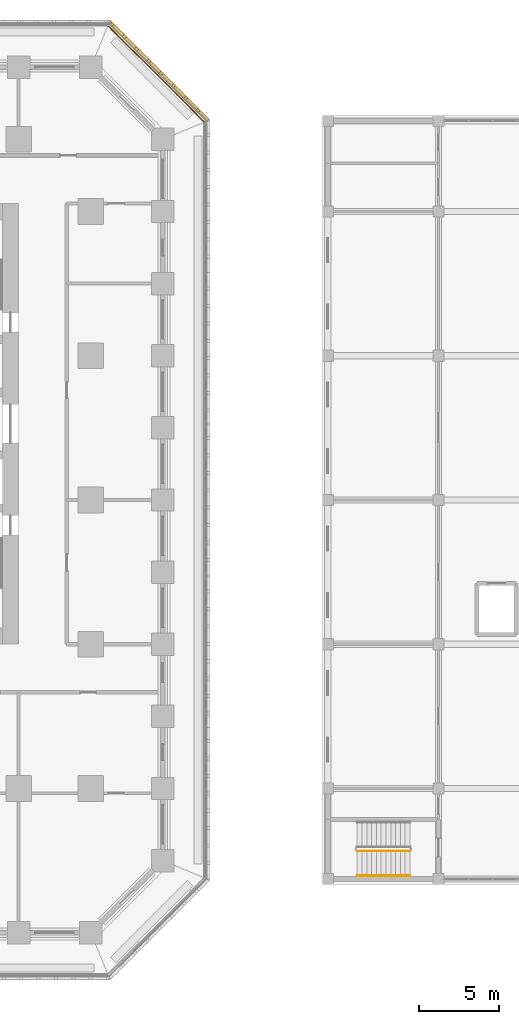
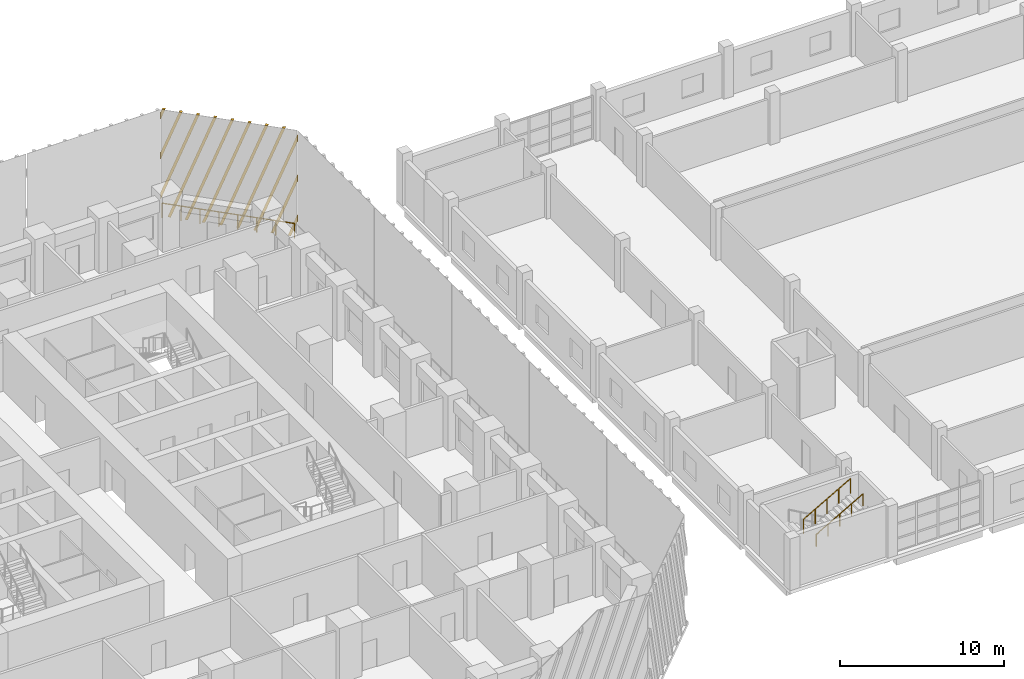
# One storey, part 25 of 31: 3 railings, 1 shading device.
"""IFC4 building model written with IfcOpenShell, lengths in metres."""

from ifc_helpers import new_model, si_unit, direction, frame, origin, origin_2d, place, context, subcontext, project, spatial, polyline, circle, outline, extrude, source, transform, mapped, material, type_object, element, save


model = new_model("IFC4")

# Units and contexts
model_context = context("Model", 3, precision=1e-05, world=origin(), true_north=direction((0.0, 1.0)))
body_context = subcontext(model_context, "Body", "Model", "MODEL_VIEW")
ifc_project = project(units=[si_unit("LENGTHUNIT", "METRE"), si_unit("AREAUNIT", "SQUARE_METRE"), si_unit("VOLUMEUNIT", "CUBIC_METRE"), si_unit("PLANEANGLEUNIT", "RADIAN"), si_unit("MASSUNIT", "GRAM", prefix="KILO")], contexts=[model_context])

# Site, building, storey
site_placement = place(None, origin())
site = spatial("IfcSite", under=ifc_project, at=site_placement, CompositionType="ELEMENT")
building_placement = place(site_placement, origin())
building = spatial("IfcBuilding", under=site, at=building_placement, Name="Corbel Stack Research Tower", CompositionType="ELEMENT")
storey_placement = place(building_placement, frame((0.0, 0.0, 15.39990234375)))
storey = spatial("IfcBuildingStorey", under=building, at=storey_placement, Name="L03", CompositionType="ELEMENT", Elevation=15.39990234375)

# Railings
ifc_material_1 = material(Name="Steel S235", Category="steel")
railing_type_1 = type_object("IfcRailingType", Name="HR1 guard 1100", PredefinedType="GUARDRAIL", material=ifc_material_1)
railing_1_placement = place(storey_placement, frame((39.125, -21.89990234375, 2.220947265625)))
element("IfcRailing", 1, at=railing_1_placement, inside=storey, type_object=railing_type_1, Name="L03 HS1 stair guard 3", PredefinedType="GUARDRAIL", context=body_context, shape_type="SweptSolid", body=[
    extrude(circle(Radius=0.02392578125, at=origin_2d()), frame((0.0, 0.0, 1.076171875), z_axis=(0.868989882718, 0.0, 0.494829853317), x_axis=(0.0, 1.0, 0.0)), (0.0, 0.0, 1.0), 3.797607421875),
    extrude(circle(Radius=0.02099609375, at=origin_2d()), origin(), (0.0, 0.0, 1.0), 1.052001953125),
    extrude(circle(Radius=0.02099609375, at=origin_2d()), frame((0.824951171875, 0.0, 0.4697265625)), (0.0, 0.0, 1.0), 1.052001953125),
    extrude(circle(Radius=0.02099609375, at=origin_2d()), frame((1.64990234375, 0.0, 0.939453125)), (0.0, 0.0, 1.0), 1.052001953125),
    extrude(circle(Radius=0.02099609375, at=origin_2d()), frame((2.47509765625, 0.0, 1.409423828125)), (0.0, 0.0, 1.0), 1.052001953125),
    extrude(circle(Radius=0.02099609375, at=origin_2d()), frame((3.300048828125, 0.0, 1.879150390625)), (0.0, 0.0, 1.0), 1.052001953125),
])
ifc_material_2 = material(Name="Steel S235", Category="steel")
railing_type_2 = type_object("IfcRailingType", Name="HR2 handrail 900", PredefinedType="HANDRAIL", material=ifc_material_2)
railing_2_placement = place(storey_placement, frame((39.125, -23.449951171875, 2.220947265625)))
element("IfcRailing", 2, at=railing_2_placement, inside=storey, type_object=railing_type_2, Name="L03 HS1 stair handrail 2", PredefinedType="HANDRAIL", context=body_context, shape_type="SweptSolid", body=[
    extrude(circle(Radius=0.02392578125, at=origin_2d()), frame((0.0, 0.0, 0.8759765625), z_axis=(0.868989882718, 0.0, 0.494829853317), x_axis=(0.0, 1.0, 0.0)), (0.0, 0.0, 1.0), 3.797607421875),
    extrude(circle(Radius=0.02099609375, at=origin_2d()), origin(), (0.0, 0.0, 1.0), 0.851806640625),
    extrude(circle(Radius=0.02099609375, at=origin_2d()), frame((0.824951171875, 0.0, 0.4697265625)), (0.0, 0.0, 1.0), 0.851806640625),
    extrude(circle(Radius=0.02099609375, at=origin_2d()), frame((1.64990234375, 0.0, 0.939453125)), (0.0, 0.0, 1.0), 0.851806640625),
    extrude(circle(Radius=0.02099609375, at=origin_2d()), frame((2.47509765625, 0.0, 1.409423828125)), (0.0, 0.0, 1.0), 0.851806640625),
    extrude(circle(Radius=0.02099609375, at=origin_2d()), frame((3.300048828125, 0.0, 1.879150390625)), (0.0, 0.0, 1.0), 0.851806640625),
])
ifc_material_3 = material(Name="Powder-coated steel guard", Category="steel")
railing_type_3 = type_object("IfcRailingType", Name="Steel and glass guard 1100", PredefinedType="GUARDRAIL", material=ifc_material_3)
railing_3_placement = place(storey_placement, frame((29.54931640625, 23.627685546875, 0.0)))
element("IfcRailing", 3, at=railing_3_placement, inside=storey, type_object=railing_type_3, Name="Loggia guard L03 NE", PredefinedType="GUARDRAIL", context=body_context, shape_type="SweptSolid", body=[
    extrude(circle(Radius=0.02392578125, at=origin_2d()), frame((0.0, 0.0, 1.076171875), z_axis=(-0.707106781187, 0.707106781187, 0.0), x_axis=(-0.707106781187, -0.707106781187, 0.0)), (0.0, 0.0, 1.0), 8.37451171875),
    extrude(circle(Radius=0.02099609375, at=origin_2d()), origin(), (0.0, 0.0, 1.0), 1.052001953125),
    extrude(circle(Radius=0.02099609375, at=origin_2d()), frame((-0.845947265625, 0.845947265625, 0.0)), (0.0, 0.0, 1.0), 1.052001953125),
    extrude(circle(Radius=0.02099609375, at=origin_2d()), frame((-1.69189453125, 1.69189453125, 0.0)), (0.0, 0.0, 1.0), 1.052001953125),
    extrude(circle(Radius=0.02099609375, at=origin_2d()), frame((-2.537841796875, 2.537841796875, 0.0)), (0.0, 0.0, 1.0), 1.052001953125),
    extrude(circle(Radius=0.02099609375, at=origin_2d()), frame((-3.3837890625, 3.3837890625, 0.0)), (0.0, 0.0, 1.0), 1.052001953125),
    extrude(circle(Radius=0.02099609375, at=origin_2d()), frame((-4.229736328125, 4.229736328125, 0.0)), (0.0, 0.0, 1.0), 1.052001953125),
    extrude(circle(Radius=0.02099609375, at=origin_2d()), frame((-5.07568359375, 5.07568359375, 0.0)), (0.0, 0.0, 1.0), 1.052001953125),
    extrude(circle(Radius=0.02099609375, at=origin_2d()), frame((-5.921630859375, 5.921630859375, 0.0)), (0.0, 0.0, 1.0), 1.052001953125),
])

# Shading device
ifc_material_4 = material(Name="Precast terracotta", Category="masonry")
shading_device_type = type_object("IfcShadingDeviceType", Name="Terracotta screen panel", PredefinedType="USERDEFINED", material=ifc_material_4)
shared_shape = source(origin(), body_context, "Body", "SweptSolid", [
    extrude(outline(polyline([(0.60205078125, 0.0), (0.0, 1.654296875), (0.0, 1.13232421875), (0.412109375, 0.0), (0.60205078125, 0.0)])), frame((0.0, 0.0, 0.0), z_axis=(0.0, -1.0, 0.0), x_axis=(1.0, 0.0, 0.0)), (0.0, 0.0, 1.0), 0.179931640625),
    extrude(outline(polyline([(1.686767578125, 0.0), (0.0, 4.634521484375), (0.0, 4.1123046875), (1.496826171875, 0.0), (1.686767578125, 0.0)])), frame((0.0, 0.0, 0.0), z_axis=(0.0, -1.0, 0.0), x_axis=(1.0, 0.0, 0.0)), (0.0, 0.0, 1.0), 0.179931640625),
    extrude(outline(polyline([(2.771484375, 0.0), (0.0, 7.614501953125), (0.0, 7.092529296875), (2.58154296875, 0.0), (2.771484375, 0.0)])), frame((0.0, 0.0, 0.0), z_axis=(0.0, -1.0, 0.0), x_axis=(1.0, 0.0, 0.0)), (0.0, 0.0, 1.0), 0.179931640625),
    extrude(outline(polyline([(3.856201171875, 0.0), (0.962646484375, 7.949951171875), (0.772705078125, 7.949951171875), (3.666015625, 0.0), (3.856201171875, 0.0)])), frame((0.0, 0.0, 0.0), z_axis=(0.0, -1.0, 0.0), x_axis=(1.0, 0.0, 0.0)), (0.0, 0.0, 1.0), 0.179931640625),
    extrude(outline(polyline([(4.94091796875, 0.0), (2.047119140625, 7.949951171875), (1.857177734375, 7.949951171875), (4.750732421875, 0.0), (4.94091796875, 0.0)])), frame((0.0, 0.0, 0.0), z_axis=(0.0, -1.0, 0.0), x_axis=(1.0, 0.0, 0.0)), (0.0, 0.0, 1.0), 0.179931640625),
    extrude(outline(polyline([(6.025390625, 0.0), (3.1318359375, 7.949951171875), (2.94189453125, 7.949951171875), (5.83544921875, 0.0), (6.025390625, 0.0)])), frame((0.0, 0.0, 0.0), z_axis=(0.0, -1.0, 0.0), x_axis=(1.0, 0.0, 0.0)), (0.0, 0.0, 1.0), 0.179931640625),
    extrude(outline(polyline([(7.110107421875, 0.0), (4.216552734375, 7.949951171875), (4.026611328125, 7.949951171875), (6.920166015625, 0.0), (7.110107421875, 0.0)])), frame((0.0, 0.0, 0.0), z_axis=(0.0, -1.0, 0.0), x_axis=(1.0, 0.0, 0.0)), (0.0, 0.0, 1.0), 0.179931640625),
    extrude(outline(polyline([(8.19482421875, 0.0), (5.30126953125, 7.949951171875), (5.111083984375, 7.949951171875), (8.0048828125, 0.0), (8.19482421875, 0.0)])), frame((0.0, 0.0, 0.0), z_axis=(0.0, -1.0, 0.0), x_axis=(1.0, 0.0, 0.0)), (0.0, 0.0, 1.0), 0.179931640625),
    extrude(outline(polyline([(6.385986328125, 7.949951171875), (6.19580078125, 7.949951171875), (8.64208984375, 1.22900390625), (8.64208984375, 1.751220703125), (6.385986328125, 7.949951171875)])), frame((0.0, 0.0, 0.0), z_axis=(0.0, -1.0, 0.0), x_axis=(1.0, 0.0, 0.0)), (0.0, 0.0, 1.0), 0.179931640625),
    extrude(outline(polyline([(7.470703125, 7.949951171875), (7.280517578125, 7.949951171875), (8.64208984375, 4.208984375), (8.64208984375, 4.731201171875), (7.470703125, 7.949951171875)])), frame((0.0, 0.0, 0.0), z_axis=(0.0, -1.0, 0.0), x_axis=(1.0, 0.0, 0.0)), (0.0, 0.0, 1.0), 0.179931640625),
    extrude(outline(polyline([(8.55517578125, 7.949951171875), (8.365234375, 7.949951171875), (8.64208984375, 7.189208984375), (8.64208984375, 7.711181640625), (8.55517578125, 7.949951171875)])), frame((0.0, 0.0, 0.0), z_axis=(0.0, -1.0, 0.0), x_axis=(1.0, 0.0, 0.0)), (0.0, 0.0, 1.0), 0.179931640625),
])
shading_device_placement = place(storey_placement, frame((29.75, 23.63916015625, 0.0), z_axis=(0.0, 0.0, 1.0), x_axis=(-0.707106781187, 0.707106781187, 0.0)))
element("IfcShadingDevice", 4, at=shading_device_placement, inside=storey, type_object=shading_device_type, Name="Terracotta screen L03 NE1", ObjectType="SCREEN", PredefinedType="USERDEFINED", context=body_context, shape_type="MappedRepresentation", body=[
    mapped(shared_shape, transform((0.0, 0.0, 0.0))),
])

save(model, "model.ifc")
